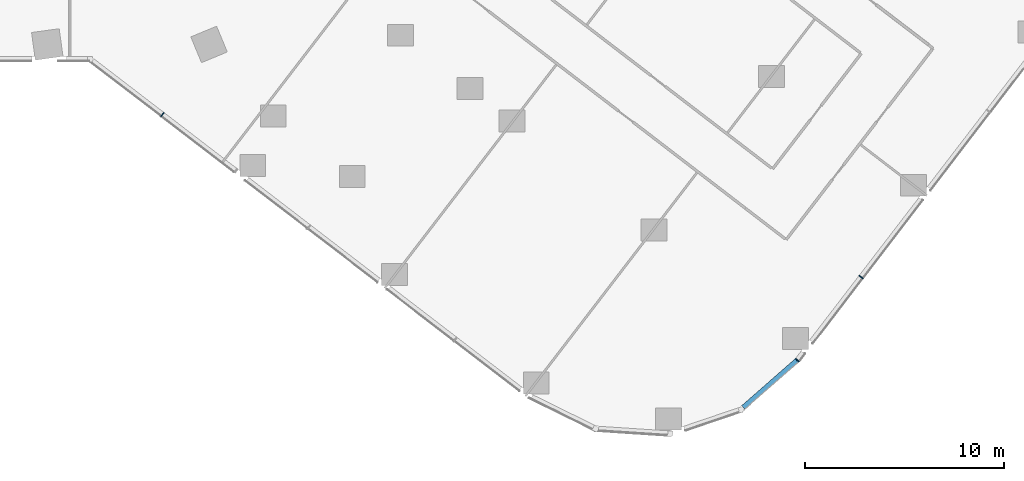
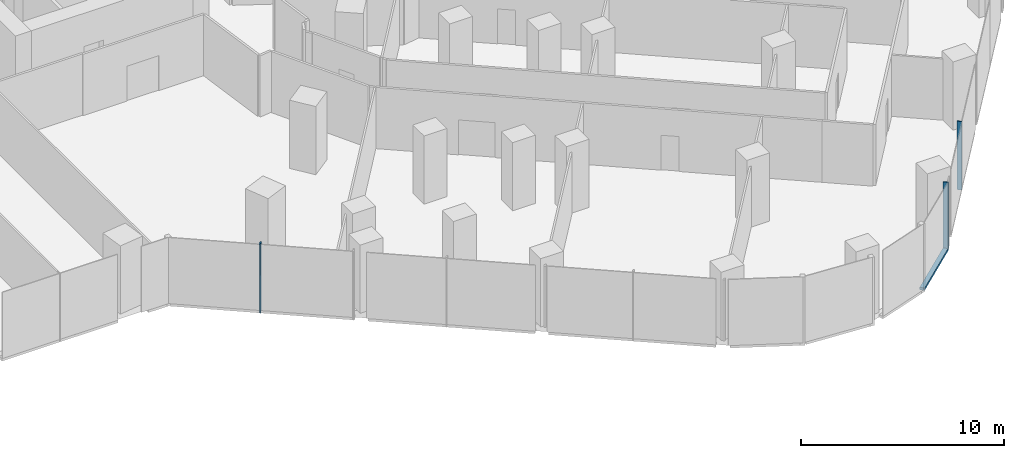
# One storey, part 7 of 29: 4 members, 3 elements without a shape of their own.
"""IFC4 building model written with IfcOpenShell, lengths in metres."""

import ifcopenshell
import ifcopenshell.guid

model = None  # the IFC model being written
_history = None  # IfcOwnerHistory: only IFC2X3 demands one
_inside = {}  # id of a spatial element -> (the spatial element, [elements in it])
_under = {}  # id of a project, library or spatial element -> (it, [spatial elements below it])
_declared = {}  # id of a project -> (the project, [libraries it declares])
_typed = {}  # id of a type object -> (the type object, [elements of that type])
_made_of = {}  # id of a material, layer set ... -> (it, [elements and type objects made of it])


def new_model(schema):
    """Start an empty IFC model of exactly this schema.

    Asked for "IFC4X3", IfcOpenShell would pick the latest addendum, in which some entities
    have other attributes; the version numbers below select the first issue.
    IFC2X3 requires an IfcOwnerHistory on every rooted entity: one is made here for all.
    """
    global model, _history
    if schema == "IFC4X3":
        model = ifcopenshell.file(schema_version=(4, 3, 0, 0))
    else:
        model = ifcopenshell.file(schema=schema)
    _inside.clear()
    _under.clear()
    _declared.clear()
    _typed.clear()
    _made_of.clear()
    _history = None
    if model.schema == "IFC2X3":
        org = make("IfcOrganization", Name="unknown")
        user = make(
            "IfcPersonAndOrganization",
            ThePerson=make("IfcPerson", FamilyName="unknown"),
            TheOrganization=org,
        )
        app = make(
            "IfcApplication",
            ApplicationDeveloper=org,
            Version="unknown",
            ApplicationFullName="unknown",
            ApplicationIdentifier="unknown",
        )
        _history = make(
            "IfcOwnerHistory",
            OwningUser=user,
            OwningApplication=app,
            ChangeAction="ADDED",
            CreationDate=0,
        )
    return model


def make(cls, **values):
    """One entity of the class cls with the attributes given. An attribute that is None is left unset."""
    return model.create_entity(
        cls, **{name: value for name, value in values.items() if value is not None}
    )


def rooted(cls, **values):
    """An entity with a GlobalId (a new one), such as an element, a storey or a relation."""
    return make(cls, GlobalId=ifcopenshell.guid.new(), OwnerHistory=_history, **values)


def si_unit(unit_type, name, prefix=None):
    """IfcSIUnit, for example si_unit("LENGTHUNIT", "METRE", prefix="MILLI")."""
    return make("IfcSIUnit", UnitType=unit_type, Prefix=prefix, Name=name)


def assignment(units):
    """IfcUnitAssignment: the units of a project."""
    return None if units is None else make("IfcUnitAssignment", Units=units)


def point(xyz):
    """IfcCartesianPoint."""
    return None if xyz is None else make("IfcCartesianPoint", Coordinates=xyz)


def direction(xyz):
    """IfcDirection."""
    return None if xyz is None else make("IfcDirection", DirectionRatios=xyz)


def frame(location, z_axis=None, x_axis=None):
    """IfcAxis2Placement3D, a coordinate frame: its origin and axes. An axis left out is left unset."""
    return make(
        "IfcAxis2Placement3D",
        Location=point(location),
        Axis=direction(z_axis),
        RefDirection=direction(x_axis),
    )


def frame_2d(location, x_axis=None):
    """IfcAxis2Placement2D, a coordinate frame in the plane: its origin and x axis."""
    return make(
        "IfcAxis2Placement2D", Location=point(location), RefDirection=direction(x_axis)
    )


def origin():
    """The frame at (0, 0, 0) with its axes left unset."""
    return frame((0.0, 0.0, 0.0))


def origin_2d():
    """The frame at (0, 0) in the plane with its x axis left unset."""
    return frame_2d((0.0, 0.0))


def place(relative_to, where):
    """IfcLocalPlacement: puts the frame where relative to a parent placement (None: the world)."""
    return make(
        "IfcLocalPlacement", PlacementRelTo=relative_to, RelativePlacement=where
    )


def context(
    kind, dimensions, precision=None, world=None, true_north=None, identifier=None
):
    """IfcGeometricRepresentationContext, for example the 3D "Model" context."""
    return make(
        "IfcGeometricRepresentationContext",
        ContextIdentifier=identifier,
        ContextType=kind,
        CoordinateSpaceDimension=dimensions,
        Precision=precision,
        WorldCoordinateSystem=world,
        TrueNorth=true_north,
    )


def subcontext(parent, identifier, kind, view, scale=None):
    """IfcGeometricRepresentationSubContext, for example "Body" below "Model"."""
    return make(
        "IfcGeometricRepresentationSubContext",
        ContextIdentifier=identifier,
        ContextType=kind,
        ParentContext=parent,
        TargetScale=scale,
        TargetView=view,
    )


def project(units=None, contexts=None):
    """IfcProject with its units and contexts."""
    return rooted(
        "IfcProject",
        Name="project",
        RepresentationContexts=contexts,
        UnitsInContext=assignment(units),
    )


def spatial(cls, under=None, at=None, **own):
    """A site, building, storey or space (cls), placed at a placement, below another one or the project."""
    s = rooted(cls, ObjectPlacement=at, **own)
    if under is not None:
        _under.setdefault(under.id(), (under, []))[1].append(s)
    return s


def profile(cls, at=None, kind="AREA", **sizes):
    """A parametric profile (cls). Its sizes go by their IFC names, for example OverallWidth=200.0."""
    return make(cls, ProfileType=kind, Position=at, **sizes)


def rectangle(**sizes):
    """IfcRectangleProfileDef."""
    return profile("IfcRectangleProfileDef", **sizes)


def extrude(swept, where, along, depth):
    """IfcExtrudedAreaSolid: the profile swept, set in the frame where, extruded along a direction by depth."""
    return make(
        "IfcExtrudedAreaSolid",
        SweptArea=swept,
        Position=where,
        ExtrudedDirection=direction(along),
        Depth=depth,
    )


def shape(context_of_items, identifier, shape_type, items):
    """IfcShapeRepresentation: the items that make up one representation, for example the "Body"."""
    return make(
        "IfcShapeRepresentation",
        ContextOfItems=context_of_items,
        RepresentationIdentifier=identifier,
        RepresentationType=shape_type,
        Items=items,
    )


def material(Name=None, Category=None):
    """IfcMaterial."""
    return make("IfcMaterial", Name=Name, Category=Category)


def material_profile(
    of_material, cross_section, Name=None, Category=None, Priority=None
):
    """IfcMaterialProfile: a cross section and its material."""
    return make(
        "IfcMaterialProfile",
        Name=Name,
        Material=of_material,
        Profile=cross_section,
        Priority=Priority,
        Category=Category,
    )


def profile_set(profiles, Name=None, composite=None):
    """IfcMaterialProfileSet."""
    return make(
        "IfcMaterialProfileSet",
        Name=Name,
        MaterialProfiles=profiles,
        CompositeProfile=composite,
    )


def made_of(thing, what):
    """Note that an element or type object is made of a material, layer set ...; save() writes the relation."""
    if what is not None:
        _made_of.setdefault(what.id(), (what, []))[1].append(thing)
    return thing


def type_object(cls, material=None, **own):
    """A type object (cls), such as IfcWallType, which elements share."""
    return made_of(rooted(cls, **own), material)


def element(
    cls,
    number,
    at=None,
    inside=None,
    cuts=None,
    type_object=None,
    material=None,
    context=None,
    identifier="Body",
    shape_type=None,
    held_by="IfcProductDefinitionShape",
    body=None,
    shapes=None,
    **own,
):
    """One element of the class cls, such as IfcWall. Its Tag is "e" and its number.

    at: its placement. inside: the storey or other place that contains it. cuts: it is an
    opening in that element (IfcRelVoidsElement). A single representation is given by context,
    identifier, shape_type and body (its items); several are given by shapes. held_by: the class
    of the entity that holds the representations. save() writes the other relations.
    """
    e = rooted(cls, Tag="e%d" % number, ObjectPlacement=at, **own)
    if body is not None:
        shapes = [shape(context, identifier, shape_type, body)]
    if shapes is not None:
        e.Representation = make(held_by, Representations=shapes)
    if inside is not None:
        _inside.setdefault(inside.id(), (inside, []))[1].append(e)
    if cuts is not None:
        rooted(
            "IfcRelVoidsElement", RelatingBuildingElement=cuts, RelatedOpeningElement=e
        )
    if type_object is not None:
        _typed.setdefault(type_object.id(), (type_object, []))[1].append(e)
    return made_of(e, material)


def aggregate(whole, parts):
    """IfcRelAggregates: a whole, such as a stair, and the parts it consists of."""
    return rooted("IfcRelAggregates", RelatingObject=whole, RelatedObjects=parts)


def save(model, path):
    """Write the relations noted so far, then the file.

    IfcRelAggregates (storeys below a building ...), IfcRelContainedInSpatialStructure (elements
    in a storey), IfcRelDefinesByType, IfcRelAssociatesMaterial and IfcRelDeclares: one each for
    every whole, place, type object, material and project.
    """
    for whole, parts in _under.values():
        aggregate(whole, parts)
    for where, things in _inside.values():
        rooted(
            "IfcRelContainedInSpatialStructure",
            RelatedElements=things,
            RelatingStructure=where,
        )
    for kind, things in _typed.values():
        rooted("IfcRelDefinesByType", RelatedObjects=things, RelatingType=kind)
    for what, things in _made_of.values():
        rooted("IfcRelAssociatesMaterial", RelatedObjects=things, RelatingMaterial=what)
    for by, libraries in _declared.values():
        rooted("IfcRelDeclares", RelatingContext=by, RelatedDefinitions=libraries)
    model.write(path)


model = new_model("IFC4")

# Units and contexts
model_context = context("Model", 3, precision=1e-05, world=origin(), true_north=direction((0.0, 1.0)))
body_context = subcontext(model_context, "Body", "Model", "MODEL_VIEW")
ifc_project = project(units=[si_unit("LENGTHUNIT", "METRE"), si_unit("AREAUNIT", "SQUARE_METRE"), si_unit("VOLUMEUNIT", "CUBIC_METRE"), si_unit("PLANEANGLEUNIT", "RADIAN"), si_unit("MASSUNIT", "GRAM", prefix="KILO")], contexts=[model_context])

# Site, building, storey
site_placement = place(None, origin())
site = spatial("IfcSite", under=ifc_project, at=site_placement, CompositionType="ELEMENT")
building_placement = place(site_placement, origin())
building = spatial("IfcBuilding", under=site, at=building_placement, Name="Orlundy Tower", CompositionType="ELEMENT")
storey_placement = place(building_placement, frame((0.0, 0.0, 25.10009765625)))
storey = spatial("IfcBuildingStorey", under=building, at=storey_placement, Name="L04", CompositionType="ELEMENT", Elevation=25.10009765625)

# Curtain wall, member
ifc_material_1 = material(Name="Aluminium bronze anodised", Category="aluminium")
curtain_wall_type = type_object("IfcCurtainWallType", Name="CW2 wall", PredefinedType="NOTDEFINED", material=ifc_material_1)
curtain_wall_1_placement = place(storey_placement, origin())
curtain_wall_1 = element("IfcCurtainWall", 1, at=curtain_wall_1_placement, inside=storey, type_object=curtain_wall_type, Name="CW2 run 00", PredefinedType="NOTDEFINED")
ifc_material_2 = material(Name="Aluminium bronze anodised", Category="aluminium")
ifc_material_profile_1 = material_profile(ifc_material_2, rectangle(XDim=0.25, YDim=0.050048828125, at=origin_2d()), Name="CW2 mullion 50x250")
ifc_profile_set_1 = profile_set([ifc_material_profile_1], Name="Aluminium bronze anodised")
member_type_1 = type_object("IfcMemberType", Name="CW2 mullion 50x250", PredefinedType="MULLION", material=ifc_profile_set_1)
member_1_placement = place(storey_placement, frame((9.8408203125, -32.918212890625, -0.420166015625), z_axis=(0.0, 0.0, 1.0), x_axis=(-0.60875715215, -0.793356622022, 0.0)))
member_1 = element("IfcMember", 2, at=member_1_placement, type_object=member_type_1, Name="CW2 mullion 6", PredefinedType="MULLION", context=body_context, shape_type="SweptSolid", body=[
    extrude(rectangle(XDim=0.25, YDim=0.050048828125, at=origin_2d()), origin(), (0.0, 0.0, 1.0), 4.1201171875),
])
aggregate(curtain_wall_1, [member_1])

curtain_wall_2_placement = place(storey_placement, origin())
curtain_wall_2 = element("IfcCurtainWall", 3, at=curtain_wall_2_placement, inside=storey, type_object=curtain_wall_type, Name="CW2 run 023", PredefinedType="NOTDEFINED")
member_2_placement = place(storey_placement, frame((44.901123046875, -41.071044921875, -0.420166015625), z_axis=(0.0, 0.0, 1.0), x_axis=(0.793345695949, -0.60877139118, 0.0)))
member_2 = element("IfcMember", 4, at=member_2_placement, type_object=member_type_1, Name="CW2 mullion 64", PredefinedType="MULLION", context=body_context, shape_type="SweptSolid", body=[
    extrude(rectangle(XDim=0.25, YDim=0.050048828125, at=origin_2d()), origin(), (0.0, 0.0, 1.0), 4.1201171875),
])
aggregate(curtain_wall_2, [member_2])

# Curtain wall, members
curtain_wall_3_placement = place(storey_placement, origin())
curtain_wall_3 = element("IfcCurtainWall", 5, at=curtain_wall_3_placement, inside=storey, type_object=curtain_wall_type, Name="CW2 run 024", PredefinedType="NOTDEFINED")
member_3_placement = place(storey_placement, frame((41.69775390625, -45.245849609375, -0.420166015625), z_axis=(0.0, 0.0, 1.0), x_axis=(0.729850532445, -0.683606758517, 0.0)))
member_3 = element("IfcMember", 6, at=member_3_placement, type_object=member_type_1, Name="CW2 mullion 65", PredefinedType="MULLION", context=body_context, shape_type="SweptSolid", body=[
    extrude(rectangle(XDim=0.25, YDim=0.050048828125, at=origin_2d()), origin(), (0.0, 0.0, 1.0), 4.1201171875),
])
ifc_material_3 = material(Name="Aluminium bronze anodised", Category="aluminium")
ifc_material_profile_2 = material_profile(ifc_material_3, rectangle(XDim=0.25, YDim=0.14990234375, at=origin_2d()), Name="CW2 transom 250x150")
ifc_profile_set_2 = profile_set([ifc_material_profile_2], Name="Aluminium bronze anodised")
member_type_2 = type_object("IfcMemberType", Name="CW2 transom 250x150", PredefinedType="USERDEFINED", material=ifc_profile_set_2)
member_4_placement = place(storey_placement, frame((41.6787109375, -45.262451171875, -0.34521484375), z_axis=(-0.751850352577, -0.659333790526, 0.0), x_axis=(0.659333790526, -0.751850352577, 0.0)))
member_4 = element("IfcMember", 7, at=member_4_placement, type_object=member_type_2, Name="CW2 transom", ObjectType="TRANSOM", PredefinedType="USERDEFINED", context=body_context, shape_type="SweptSolid", body=[
    extrude(rectangle(XDim=0.25, YDim=0.14990234375, at=origin_2d()), origin(), (0.0, 0.0, 1.0), 3.58349609375),
])
aggregate(curtain_wall_3, [member_3, member_4])

save(model, "model.ifc")
